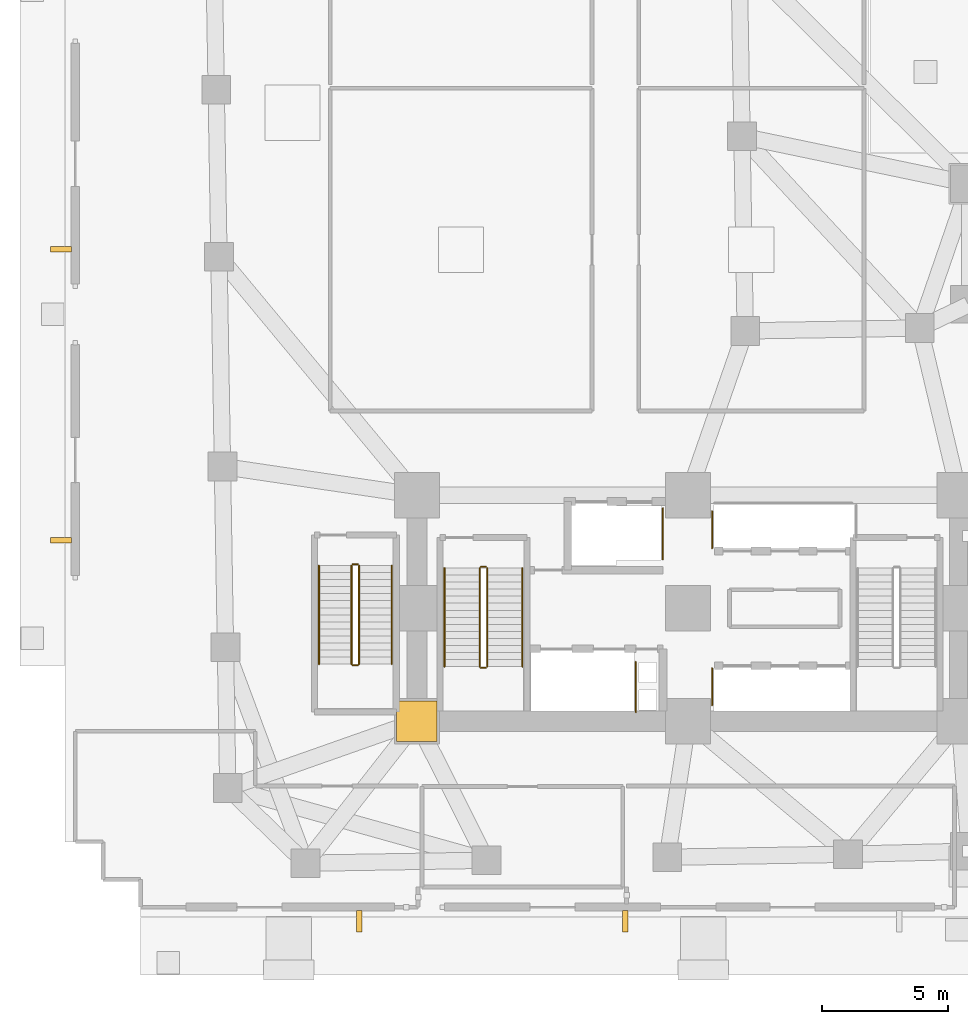
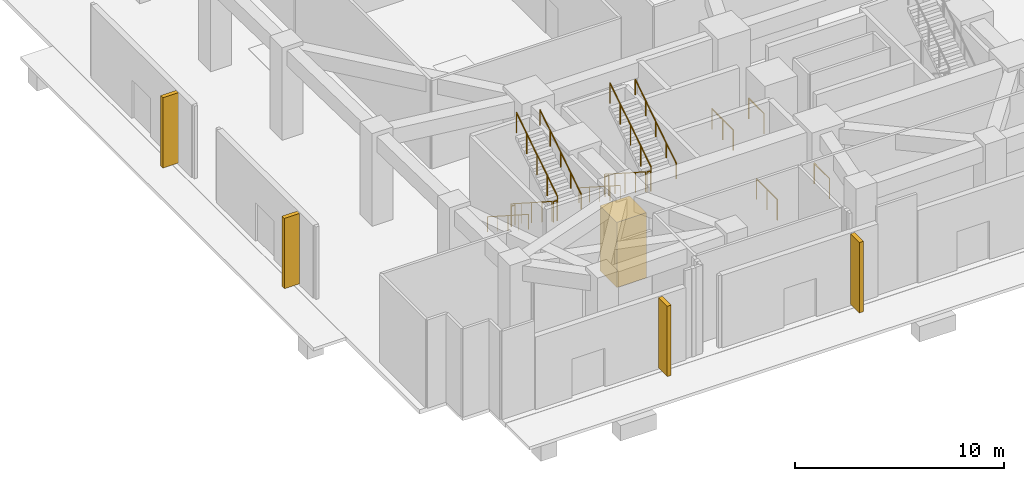
# One storey, part 14 of 19: 16 railings, 4 shading devices, 1 covering.
"""IFC4 building model written with IfcOpenShell, lengths in metres."""

from ifc_helpers import new_model, si_unit, direction, frame, origin, origin_2d, place, context, subcontext, project, spatial, rectangle, circle, extrude, material, layer, layer_set, type_object, element, save


model = new_model("IFC4")

# Units and contexts
model_context = context("Model", 3, precision=1e-05, world=origin(), true_north=direction((0.0, 1.0)))
body_context = subcontext(model_context, "Body", "Model", "MODEL_VIEW")
ifc_project = project(units=[si_unit("LENGTHUNIT", "METRE"), si_unit("AREAUNIT", "SQUARE_METRE"), si_unit("VOLUMEUNIT", "CUBIC_METRE"), si_unit("PLANEANGLEUNIT", "RADIAN"), si_unit("MASSUNIT", "GRAM", prefix="KILO")], contexts=[model_context])

# Site, building, storey
site_placement = place(None, origin())
site = spatial("IfcSite", under=ifc_project, at=site_placement, CompositionType="ELEMENT")
building_placement = place(site_placement, origin())
building = spatial("IfcBuilding", under=site, at=building_placement, Name="Gaonmaruhae Medical Tower", CompositionType="ELEMENT")
storey_placement = place(building_placement, origin())
storey = spatial("IfcBuildingStorey", under=building, at=storey_placement, Name="L00", CompositionType="ELEMENT", Elevation=0.0)

# Covering
ifc_material_1 = material(Name="Architectural precast column cladding", Category="concrete")
ifc_layer = layer(ifc_material_1, 0.06005859375)
ifc_layer_set = layer_set([ifc_layer], Name="Architectural precast column cladding")
covering_type = type_object("IfcCoveringType", Name="CLD-01 Architectural Precast Pier Cladding", PredefinedType="CLADDING", material=ifc_layer_set)
covering_placement = place(storey_placement, frame((14.0, 7.800048828125, 0.10009765625), z_axis=(0.0, 0.0, 1.0), x_axis=(1.0, 0.0, 0.0)))
element("IfcCovering", 1, at=covering_placement, inside=storey, type_object=covering_type, Name="L00 Architectural Precast Column Cladding 5", PredefinedType="CLADDING", context=body_context, shape_type="SweptSolid", body=[
    extrude(rectangle(XDim=1.6201171875, YDim=1.6201171875, at=origin_2d()), origin(), (0.0, 0.0, 1.0), 3.800048828125),
])

# Railings
ifc_material_2 = material(Name="Stainless steel 304 handrail", Category="steel")
railing_type_1 = type_object("IfcRailingType", Name="HR-092 Continuous Stainless Steel Stair Handrail", PredefinedType="HANDRAIL", material=ifc_material_2)
railing_1_placement = place(storey_placement, frame((15.10009765625, 13.89990234375, 0.179931640625)))
element("IfcRailing", 2, at=railing_1_placement, inside=storey, type_object=railing_type_1, Name="L00 ST-01 stair handrail 1", PredefinedType="HANDRAIL", context=body_context, shape_type="SweptSolid", body=[
    extrude(circle(Radius=0.02392578125, at=origin_2d()), frame((0.0, 0.0, 0.8759765625), z_axis=(0.0, -0.841171666519, 0.540768182723), x_axis=(1.0, 0.0, 0.0)), (0.0, 0.0, 1.0), 4.66015625),
    extrude(circle(Radius=0.02099609375, at=origin_2d()), origin(), (0.0, 0.0, 1.0), 0.851806640625),
    extrude(circle(Radius=0.02099609375, at=origin_2d()), frame((0.0, -0.97998046875, 0.6298828125)), (0.0, 0.0, 1.0), 0.851806640625),
    extrude(circle(Radius=0.02099609375, at=origin_2d()), frame((0.0, -1.9599609375, 1.260009765625)), (0.0, 0.0, 1.0), 0.851806640625),
    extrude(circle(Radius=0.02099609375, at=origin_2d()), frame((0.0, -2.93994140625, 1.89013671875)), (0.0, 0.0, 1.0), 0.851806640625),
    extrude(circle(Radius=0.02099609375, at=origin_2d()), frame((0.0, -3.919921875, 2.52001953125)), (0.0, 0.0, 1.0), 0.851806640625),
])
railing_2_placement = place(storey_placement, frame((18.199951171875, 9.97998046875, 2.8798828125)))
element("IfcRailing", 3, at=railing_2_placement, inside=storey, type_object=railing_type_1, Name="L00 ST-01 stair handrail 2", PredefinedType="HANDRAIL", context=body_context, shape_type="SweptSolid", body=[
    extrude(circle(Radius=0.02392578125, at=origin_2d()), frame((0.0, 0.0, 0.8759765625), z_axis=(0.0, 0.841171666519, 0.540768182723), x_axis=(-1.0, 0.0, 0.0)), (0.0, 0.0, 1.0), 4.66015625),
    extrude(circle(Radius=0.02099609375, at=origin_2d()), origin(), (0.0, 0.0, 1.0), 0.851806640625),
    extrude(circle(Radius=0.02099609375, at=origin_2d()), frame((0.0, 0.97998046875, 0.6298828125)), (0.0, 0.0, 1.0), 0.851806640625),
    extrude(circle(Radius=0.02099609375, at=origin_2d()), frame((0.0, 1.9599609375, 1.260009765625)), (0.0, 0.0, 1.0), 0.851806640625),
    extrude(circle(Radius=0.02099609375, at=origin_2d()), frame((0.0, 2.93994140625, 1.89013671875)), (0.0, 0.0, 1.0), 0.851806640625),
    extrude(circle(Radius=0.02099609375, at=origin_2d()), frame((0.0, 3.919921875, 2.52001953125)), (0.0, 0.0, 1.0), 0.851806640625),
])
railing_3_placement = place(storey_placement, frame((10.10009765625, 14.0, 0.179931640625)))
element("IfcRailing", 4, at=railing_3_placement, inside=storey, type_object=railing_type_1, Name="L00 ST-03 stair handrail 1", PredefinedType="HANDRAIL", context=body_context, shape_type="SweptSolid", body=[
    extrude(circle(Radius=0.02392578125, at=origin_2d()), frame((0.0, 0.0, 0.8759765625), z_axis=(0.0, -0.841171666519, 0.540768182723), x_axis=(1.0, 0.0, 0.0)), (0.0, 0.0, 1.0), 4.66015625),
    extrude(circle(Radius=0.02099609375, at=origin_2d()), origin(), (0.0, 0.0, 1.0), 0.851806640625),
    extrude(circle(Radius=0.02099609375, at=origin_2d()), frame((0.0, -0.97998046875, 0.6298828125)), (0.0, 0.0, 1.0), 0.851806640625),
    extrude(circle(Radius=0.02099609375, at=origin_2d()), frame((0.0, -1.9599609375, 1.260009765625)), (0.0, 0.0, 1.0), 0.851806640625),
    extrude(circle(Radius=0.02099609375, at=origin_2d()), frame((0.0, -2.93994140625, 1.89013671875)), (0.0, 0.0, 1.0), 0.851806640625),
    extrude(circle(Radius=0.02099609375, at=origin_2d()), frame((0.0, -3.919921875, 2.52001953125)), (0.0, 0.0, 1.0), 0.851806640625),
])
railing_4_placement = place(storey_placement, frame((13.0, 10.080078125, 2.8798828125)))
element("IfcRailing", 5, at=railing_4_placement, inside=storey, type_object=railing_type_1, Name="L00 ST-03 stair handrail 2", PredefinedType="HANDRAIL", context=body_context, shape_type="SweptSolid", body=[
    extrude(circle(Radius=0.02392578125, at=origin_2d()), frame((0.0, 0.0, 0.8759765625), z_axis=(0.0, 0.841171666519, 0.540768182723), x_axis=(-1.0, 0.0, 0.0)), (0.0, 0.0, 1.0), 4.66015625),
    extrude(circle(Radius=0.02099609375, at=origin_2d()), origin(), (0.0, 0.0, 1.0), 0.851806640625),
    extrude(circle(Radius=0.02099609375, at=origin_2d()), frame((0.0, 0.97998046875, 0.6298828125)), (0.0, 0.0, 1.0), 0.851806640625),
    extrude(circle(Radius=0.02099609375, at=origin_2d()), frame((0.0, 1.9599609375, 1.260009765625)), (0.0, 0.0, 1.0), 0.851806640625),
    extrude(circle(Radius=0.02099609375, at=origin_2d()), frame((0.0, 2.93994140625, 1.89013671875)), (0.0, 0.0, 1.0), 0.851806640625),
    extrude(circle(Radius=0.02099609375, at=origin_2d()), frame((0.0, 3.919921875, 2.52001953125)), (0.0, 0.0, 1.0), 0.851806640625),
])

# Shading devices
ifc_material_3 = material(Name="Pigmented coral precast concrete C45/55", Category="concrete")
shading_device_type = type_object("IfcShadingDeviceType", Name="SD-FIN2 Podium Vertical Coral Precast Shading Fin", PredefinedType="USERDEFINED", material=ifc_material_3)
for number, where, z_axis, x_axis, name in (
    (6, (11.699951171875, -0.1650390625, 0.06494140625), (0.0, 0.0, 1.0), (-1.0, 0.0, 0.0), "L00 Podium Coral Precast Shading Fin PB-S1"),
    (7, (22.300048828125, -0.1650390625, 0.06494140625), (0.0, 0.0, 1.0), (-1.0, 0.0, 0.0), "L00 Podium Coral Precast Shading Fin PB-S2"),
    (8, (-0.1650390625, 15.0, 0.06494140625), (0.0, 0.0, 1.0), (0.0, 1.0, 0.0), "L00 Podium Coral Precast Shading Fin PB-W1"),
    (9, (-0.1650390625, 26.60009765625, 0.06494140625), (0.0, 0.0, 1.0), (0.0, 1.0, 0.0), "L00 Podium Coral Precast Shading Fin PB-W2"),
):
    element("IfcShadingDevice", number, at=place(storey_placement, frame(where, z_axis=z_axis, x_axis=x_axis)), inside=storey, type_object=shading_device_type, Name=name, ObjectType="FIN", PredefinedType="USERDEFINED", context=body_context, shape_type="SweptSolid", body=[
        extrude(rectangle(XDim=0.219970703125, YDim=0.85009765625, at=origin_2d()), origin(), (0.0, 0.0, 1.0), 4.10009765625),
    ])

# Railings
ifc_material_4 = material(Name="Stainless steel 304 balustrade", Category="steel")
railing_type_2 = type_object("IfcRailingType", Name="SG-112 Stair Well & Ramp Void Safety Balustrade", PredefinedType="BALUSTRADE", material=ifc_material_4)
railing_5_placement = place(storey_placement, frame((16.5, 13.89990234375, 0.179931640625)))
element("IfcRailing", 10, at=railing_5_placement, inside=storey, type_object=railing_type_2, Name="L00 ST-01 stair guard 1", PredefinedType="BALUSTRADE", context=body_context, shape_type="SweptSolid", body=[
    extrude(circle(Radius=0.02392578125, at=origin_2d()), frame((0.0, 0.0, 1.17578125), z_axis=(0.0, -0.841171666519, 0.540768182723), x_axis=(1.0, 0.0, 0.0)), (0.0, 0.0, 1.0), 4.66015625),
    extrude(circle(Radius=0.02099609375, at=origin_2d()), origin(), (0.0, 0.0, 1.0), 1.15185546875),
    extrude(circle(Radius=0.02099609375, at=origin_2d()), frame((0.0, -0.97998046875, 0.6298828125)), (0.0, 0.0, 1.0), 1.15185546875),
    extrude(circle(Radius=0.02099609375, at=origin_2d()), frame((0.0, -1.9599609375, 1.260009765625)), (0.0, 0.0, 1.0), 1.15185546875),
    extrude(circle(Radius=0.02099609375, at=origin_2d()), frame((0.0, -2.93994140625, 1.89013671875)), (0.0, 0.0, 1.0), 1.15185546875),
    extrude(circle(Radius=0.02099609375, at=origin_2d()), frame((0.0, -3.919921875, 2.52001953125)), (0.0, 0.0, 1.0), 1.15185546875),
])
railing_6_placement = place(storey_placement, frame((16.550048828125, 9.929931640625, 2.699951171875)))
element("IfcRailing", 11, at=railing_6_placement, inside=storey, type_object=railing_type_2, Name="L00 ST-01 stair guard 2", PredefinedType="BALUSTRADE", context=body_context, shape_type="SweptSolid", body=[
    extrude(circle(Radius=0.02392578125, at=origin_2d()), frame((0.0, 0.0, 1.17578125), z_axis=(1.0, 0.0, 0.0), x_axis=(0.0, 1.0, 0.0)), (0.0, 0.0, 1.0), 0.199951171875),
    extrude(circle(Radius=0.02099609375, at=origin_2d()), origin(), (0.0, 0.0, 1.0), 1.15185546875),
    extrude(circle(Radius=0.02099609375, at=origin_2d()), frame((0.199951171875, 0.0, 0.0)), (0.0, 0.0, 1.0), 1.15185546875),
])
railing_7_placement = place(storey_placement, frame((16.800048828125, 9.97998046875, 2.8798828125)))
element("IfcRailing", 12, at=railing_7_placement, inside=storey, type_object=railing_type_2, Name="L00 ST-01 stair guard 3", PredefinedType="BALUSTRADE", context=body_context, shape_type="SweptSolid", body=[
    extrude(circle(Radius=0.02392578125, at=origin_2d()), frame((0.0, 0.0, 1.17578125), z_axis=(0.0, 0.841171666519, 0.540768182723), x_axis=(-1.0, 0.0, 0.0)), (0.0, 0.0, 1.0), 4.66015625),
    extrude(circle(Radius=0.02099609375, at=origin_2d()), origin(), (0.0, 0.0, 1.0), 1.15185546875),
    extrude(circle(Radius=0.02099609375, at=origin_2d()), frame((0.0, 0.97998046875, 0.6298828125)), (0.0, 0.0, 1.0), 1.15185546875),
    extrude(circle(Radius=0.02099609375, at=origin_2d()), frame((0.0, 1.9599609375, 1.260009765625)), (0.0, 0.0, 1.0), 1.15185546875),
    extrude(circle(Radius=0.02099609375, at=origin_2d()), frame((0.0, 2.93994140625, 1.89013671875)), (0.0, 0.0, 1.0), 1.15185546875),
    extrude(circle(Radius=0.02099609375, at=origin_2d()), frame((0.0, 3.919921875, 2.52001953125)), (0.0, 0.0, 1.0), 1.15185546875),
])
railing_8_placement = place(storey_placement, frame((16.550048828125, 13.949951171875, 0.0)))
element("IfcRailing", 13, at=railing_8_placement, inside=storey, type_object=railing_type_2, Name="L00 ST-01 stair guard 4", PredefinedType="BALUSTRADE", context=body_context, shape_type="SweptSolid", body=[
    extrude(circle(Radius=0.02392578125, at=origin_2d()), frame((0.0, 0.0, 1.17578125), z_axis=(1.0, 0.0, 0.0), x_axis=(0.0, 1.0, 0.0)), (0.0, 0.0, 1.0), 0.199951171875),
    extrude(circle(Radius=0.02099609375, at=origin_2d()), origin(), (0.0, 0.0, 1.0), 1.15185546875),
    extrude(circle(Radius=0.02099609375, at=origin_2d()), frame((0.199951171875, 0.0, 0.0)), (0.0, 0.0, 1.0), 1.15185546875),
])
railing_9_placement = place(storey_placement, frame((11.39990234375, 14.0, 0.179931640625)))
element("IfcRailing", 14, at=railing_9_placement, inside=storey, type_object=railing_type_2, Name="L00 ST-03 stair guard 1", PredefinedType="BALUSTRADE", context=body_context, shape_type="SweptSolid", body=[
    extrude(circle(Radius=0.02392578125, at=origin_2d()), frame((0.0, 0.0, 1.17578125), z_axis=(0.0, -0.841171666519, 0.540768182723), x_axis=(1.0, 0.0, 0.0)), (0.0, 0.0, 1.0), 4.66015625),
    extrude(circle(Radius=0.02099609375, at=origin_2d()), origin(), (0.0, 0.0, 1.0), 1.15185546875),
    extrude(circle(Radius=0.02099609375, at=origin_2d()), frame((0.0, -0.97998046875, 0.6298828125)), (0.0, 0.0, 1.0), 1.15185546875),
    extrude(circle(Radius=0.02099609375, at=origin_2d()), frame((0.0, -1.9599609375, 1.260009765625)), (0.0, 0.0, 1.0), 1.15185546875),
    extrude(circle(Radius=0.02099609375, at=origin_2d()), frame((0.0, -2.93994140625, 1.89013671875)), (0.0, 0.0, 1.0), 1.15185546875),
    extrude(circle(Radius=0.02099609375, at=origin_2d()), frame((0.0, -3.919921875, 2.52001953125)), (0.0, 0.0, 1.0), 1.15185546875),
])
railing_10_placement = place(storey_placement, frame((11.449951171875, 10.030029296875, 2.699951171875)))
element("IfcRailing", 15, at=railing_10_placement, inside=storey, type_object=railing_type_2, Name="L00 ST-03 stair guard 2", PredefinedType="BALUSTRADE", context=body_context, shape_type="SweptSolid", body=[
    extrude(circle(Radius=0.02392578125, at=origin_2d()), frame((0.0, 0.0, 1.17578125), z_axis=(1.0, 0.0, 0.0), x_axis=(0.0, 1.0, 0.0)), (0.0, 0.0, 1.0), 0.199951171875),
    extrude(circle(Radius=0.02099609375, at=origin_2d()), origin(), (0.0, 0.0, 1.0), 1.15185546875),
    extrude(circle(Radius=0.02099609375, at=origin_2d()), frame((0.199951171875, 0.0, 0.0)), (0.0, 0.0, 1.0), 1.15185546875),
])
railing_11_placement = place(storey_placement, frame((11.699951171875, 10.080078125, 2.8798828125)))
element("IfcRailing", 16, at=railing_11_placement, inside=storey, type_object=railing_type_2, Name="L00 ST-03 stair guard 3", PredefinedType="BALUSTRADE", context=body_context, shape_type="SweptSolid", body=[
    extrude(circle(Radius=0.02392578125, at=origin_2d()), frame((0.0, 0.0, 1.17578125), z_axis=(0.0, 0.841171666519, 0.540768182723), x_axis=(-1.0, 0.0, 0.0)), (0.0, 0.0, 1.0), 4.66015625),
    extrude(circle(Radius=0.02099609375, at=origin_2d()), origin(), (0.0, 0.0, 1.0), 1.15185546875),
    extrude(circle(Radius=0.02099609375, at=origin_2d()), frame((0.0, 0.97998046875, 0.6298828125)), (0.0, 0.0, 1.0), 1.15185546875),
    extrude(circle(Radius=0.02099609375, at=origin_2d()), frame((0.0, 1.9599609375, 1.260009765625)), (0.0, 0.0, 1.0), 1.15185546875),
    extrude(circle(Radius=0.02099609375, at=origin_2d()), frame((0.0, 2.93994140625, 1.89013671875)), (0.0, 0.0, 1.0), 1.15185546875),
    extrude(circle(Radius=0.02099609375, at=origin_2d()), frame((0.0, 3.919921875, 2.52001953125)), (0.0, 0.0, 1.0), 1.15185546875),
])
railing_12_placement = place(storey_placement, frame((11.449951171875, 14.050048828125, 0.0)))
element("IfcRailing", 17, at=railing_12_placement, inside=storey, type_object=railing_type_2, Name="L00 ST-03 stair guard 4", PredefinedType="BALUSTRADE", context=body_context, shape_type="SweptSolid", body=[
    extrude(circle(Radius=0.02392578125, at=origin_2d()), frame((0.0, 0.0, 1.17578125), z_axis=(1.0, 0.0, 0.0), x_axis=(0.0, 1.0, 0.0)), (0.0, 0.0, 1.0), 0.199951171875),
    extrude(circle(Radius=0.02099609375, at=origin_2d()), origin(), (0.0, 0.0, 1.0), 1.15185546875),
    extrude(circle(Radius=0.02099609375, at=origin_2d()), frame((0.199951171875, 0.0, 0.0)), (0.0, 0.0, 1.0), 1.15185546875),
])
railing_13_placement = place(storey_placement, frame((22.719970703125, 10.159912109375, 0.0)))
element("IfcRailing", 18, at=railing_13_placement, inside=storey, type_object=railing_type_2, Name="L00 Shaft Edge Safety Guard 01", PredefinedType="BALUSTRADE", context=body_context, shape_type="SweptSolid", body=[
    extrude(circle(Radius=0.02392578125, at=origin_2d()), frame((0.0, 0.0, 1.17578125), z_axis=(0.0, -1.0, 0.0), x_axis=(1.0, 0.0, 0.0)), (0.0, 0.0, 1.0), 1.994873046875),
    extrude(circle(Radius=0.02099609375, at=origin_2d()), origin(), (0.0, 0.0, 1.0), 1.15185546875),
    extrude(circle(Radius=0.02099609375, at=origin_2d()), frame((0.0, -0.99755859375, 0.0)), (0.0, 0.0, 1.0), 1.15185546875),
    extrude(circle(Radius=0.02099609375, at=origin_2d()), frame((0.0, -1.994873046875, 0.0)), (0.0, 0.0, 1.0), 1.15185546875),
])
railing_14_placement = place(storey_placement, frame((23.794921875, 16.27587890625, 0.0)))
element("IfcRailing", 19, at=railing_14_placement, inside=storey, type_object=railing_type_2, Name="L00 Shaft Edge Safety Guard 02", PredefinedType="BALUSTRADE", context=body_context, shape_type="SweptSolid", body=[
    extrude(circle(Radius=0.02392578125, at=origin_2d()), frame((0.0, 0.0, 1.17578125), z_axis=(0.0, -1.0, 0.0), x_axis=(1.0, 0.0, 0.0)), (0.0, 0.0, 1.0), 2.03076171875),
    extrude(circle(Radius=0.02099609375, at=origin_2d()), origin(), (0.0, 0.0, 1.0), 1.15185546875),
    extrude(circle(Radius=0.02099609375, at=origin_2d()), frame((0.0, -1.015380859375, 0.0)), (0.0, 0.0, 1.0), 1.15185546875),
    extrude(circle(Radius=0.02099609375, at=origin_2d()), frame((0.0, -2.03076171875, 0.0)), (0.0, 0.0, 1.0), 1.15185546875),
])
for number, where, name in (
    (20, (25.7548828125, 8.445068359375, 0.0), "L00 Shaft Edge Safety Guard 03"),
    (21, (25.7548828125, 14.695068359375, 0.0), "L00 Shaft Edge Safety Guard 05"),
):
    element("IfcRailing", number, at=place(storey_placement, frame(where)), inside=storey, type_object=railing_type_2, Name=name, PredefinedType="BALUSTRADE", context=body_context, shape_type="SweptSolid", body=[
        extrude(circle(Radius=0.02392578125, at=origin_2d()), frame((0.0, 0.0, 1.17578125), z_axis=(0.0, 1.0, 0.0), x_axis=(-1.0, 0.0, 0.0)), (0.0, 0.0, 1.0), 1.4599609375),
        extrude(circle(Radius=0.02099609375, at=origin_2d()), origin(), (0.0, 0.0, 1.0), 1.15185546875),
        extrude(circle(Radius=0.02099609375, at=origin_2d()), frame((0.0, 1.4599609375, 0.0)), (0.0, 0.0, 1.0), 1.15185546875),
    ])

save(model, "model.ifc")
